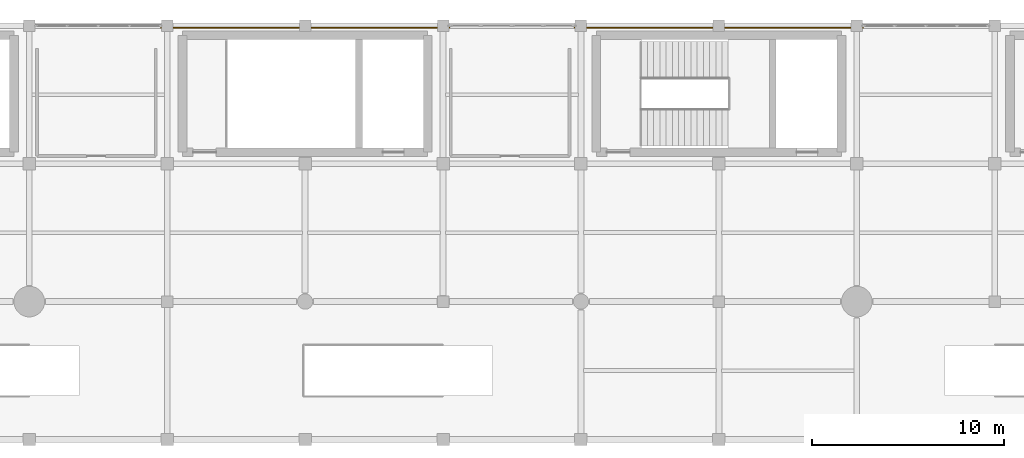
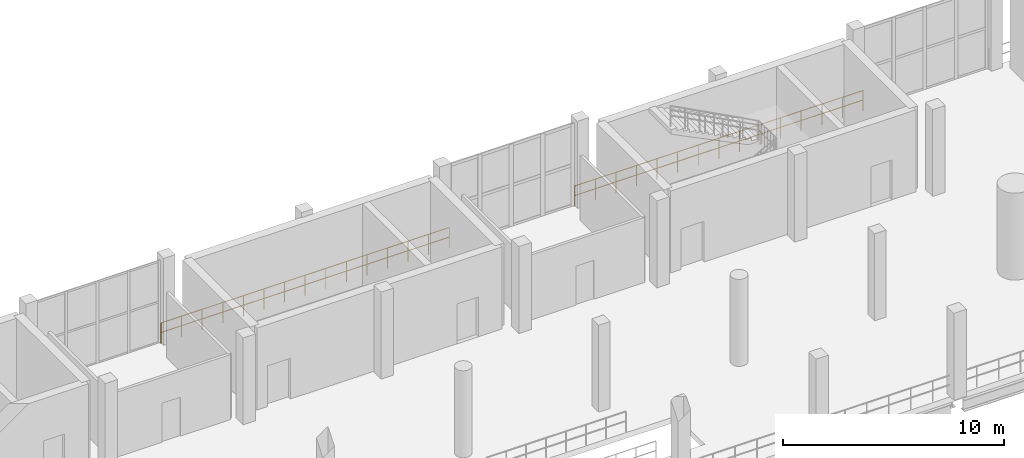
# One storey, part 105 of 105: 2 railings.
"""IFC4 building model written with IfcOpenShell, lengths in metres."""

from ifc_helpers import new_model, si_unit, direction, frame, origin, origin_2d, place, context, subcontext, project, spatial, circle, extrude, material, type_object, element, save


model = new_model("IFC4")

# Units and contexts
model_context = context("Model", 3, precision=1e-05, world=origin(), true_north=direction((0.0, 1.0)))
body_context = subcontext(model_context, "Body", "Model", "MODEL_VIEW")
ifc_project = project(units=[si_unit("LENGTHUNIT", "METRE"), si_unit("AREAUNIT", "SQUARE_METRE"), si_unit("VOLUMEUNIT", "CUBIC_METRE"), si_unit("PLANEANGLEUNIT", "RADIAN"), si_unit("MASSUNIT", "GRAM", prefix="KILO")], contexts=[model_context])

# Site, building, storey
site_placement = place(None, origin())
site = spatial("IfcSite", under=ifc_project, at=site_placement, CompositionType="ELEMENT")
building_placement = place(site_placement, origin())
building = spatial("IfcBuilding", under=site, at=building_placement, Name="Qandorah Velis Arena", CompositionType="ELEMENT")
storey_placement = place(building_placement, frame((0.0, 0.0, 13.800048828125)))
storey = spatial("IfcBuildingStorey", under=building, at=storey_placement, Name="L03", CompositionType="ELEMENT", Elevation=13.800048828125)

# Railings
ifc_material = material(Name="Stainless steel 316", Category="steel")
railing_type = type_object("IfcRailingType", Name="ARC-RL-GRD1150", PredefinedType="GUARDRAIL", material=ifc_material)
railing_1_placement = place(storey_placement, frame((50.074951171875, 129.5, 0.0)))
element("IfcRailing", 1, at=railing_1_placement, inside=storey, type_object=railing_type, Name="Slab edge safety guardrail L03-182", PredefinedType="GUARDRAIL", context=body_context, shape_type="SweptSolid", body=[
    extrude(circle(Radius=0.02392578125, at=origin_2d()), frame((0.0, 0.0, 1.1259765625), z_axis=(1.0, 0.0, 0.0), x_axis=(0.0, 1.0, 0.0)), (0.0, 0.0, 1.0), 15.050048828125),
    extrude(circle(Radius=0.02392578125, at=origin_2d()), frame((0.0, 0.0, 0.597900390625), z_axis=(1.0, 0.0, 0.0), x_axis=(0.0, 1.0, 0.0)), (0.0, 0.0, 1.0), 15.050048828125),
    extrude(circle(Radius=0.02099609375, at=origin_2d()), origin(), (0.0, 0.0, 1.0), 1.101806640625),
    extrude(circle(Radius=0.02099609375, at=origin_2d()), frame((1.074951171875, 0.0, 0.0)), (0.0, 0.0, 1.0), 1.101806640625),
    extrude(circle(Radius=0.02099609375, at=origin_2d()), frame((2.14990234375, 0.0, 0.0)), (0.0, 0.0, 1.0), 1.101806640625),
    extrude(circle(Radius=0.02099609375, at=origin_2d()), frame((3.22509765625, 0.0, 0.0)), (0.0, 0.0, 1.0), 1.101806640625),
    extrude(circle(Radius=0.02099609375, at=origin_2d()), frame((4.300048828125, 0.0, 0.0)), (0.0, 0.0, 1.0), 1.101806640625),
    extrude(circle(Radius=0.02099609375, at=origin_2d()), frame((5.375, 0.0, 0.0)), (0.0, 0.0, 1.0), 1.101806640625),
    extrude(circle(Radius=0.02099609375, at=origin_2d()), frame((6.449951171875, 0.0, 0.0)), (0.0, 0.0, 1.0), 1.101806640625),
    extrude(circle(Radius=0.02099609375, at=origin_2d()), frame((7.52490234375, 0.0, 0.0)), (0.0, 0.0, 1.0), 1.101806640625),
    extrude(circle(Radius=0.02099609375, at=origin_2d()), frame((8.60009765625, 0.0, 0.0)), (0.0, 0.0, 1.0), 1.101806640625),
    extrude(circle(Radius=0.02099609375, at=origin_2d()), frame((9.675048828125, 0.0, 0.0)), (0.0, 0.0, 1.0), 1.101806640625),
    extrude(circle(Radius=0.02099609375, at=origin_2d()), frame((10.75, 0.0, 0.0)), (0.0, 0.0, 1.0), 1.101806640625),
    extrude(circle(Radius=0.02099609375, at=origin_2d()), frame((11.824951171875, 0.0, 0.0)), (0.0, 0.0, 1.0), 1.101806640625),
    extrude(circle(Radius=0.02099609375, at=origin_2d()), frame((12.900146484375, 0.0, 0.0)), (0.0, 0.0, 1.0), 1.101806640625),
    extrude(circle(Radius=0.02099609375, at=origin_2d()), frame((13.97509765625, 0.0, 0.0)), (0.0, 0.0, 1.0), 1.101806640625),
    extrude(circle(Radius=0.02099609375, at=origin_2d()), frame((15.050048828125, 0.0, 0.0)), (0.0, 0.0, 1.0), 1.101806640625),
])
railing_2_placement = place(storey_placement, frame((71.675048828125, 129.5, 0.0)))
element("IfcRailing", 2, at=railing_2_placement, inside=storey, type_object=railing_type, Name="Slab edge safety guardrail L03-183", PredefinedType="GUARDRAIL", context=body_context, shape_type="SweptSolid", body=[
    extrude(circle(Radius=0.02392578125, at=origin_2d()), frame((0.0, 0.0, 1.1259765625), z_axis=(1.0, 0.0, 0.0), x_axis=(0.0, 1.0, 0.0)), (0.0, 0.0, 1.0), 15.050048828125),
    extrude(circle(Radius=0.02392578125, at=origin_2d()), frame((0.0, 0.0, 0.597900390625), z_axis=(1.0, 0.0, 0.0), x_axis=(0.0, 1.0, 0.0)), (0.0, 0.0, 1.0), 15.050048828125),
    extrude(circle(Radius=0.02099609375, at=origin_2d()), origin(), (0.0, 0.0, 1.0), 1.101806640625),
    extrude(circle(Radius=0.02099609375, at=origin_2d()), frame((1.074951171875, 0.0, 0.0)), (0.0, 0.0, 1.0), 1.101806640625),
    extrude(circle(Radius=0.02099609375, at=origin_2d()), frame((2.14990234375, 0.0, 0.0)), (0.0, 0.0, 1.0), 1.101806640625),
    extrude(circle(Radius=0.02099609375, at=origin_2d()), frame((3.22509765625, 0.0, 0.0)), (0.0, 0.0, 1.0), 1.101806640625),
    extrude(circle(Radius=0.02099609375, at=origin_2d()), frame((4.300048828125, 0.0, 0.0)), (0.0, 0.0, 1.0), 1.101806640625),
    extrude(circle(Radius=0.02099609375, at=origin_2d()), frame((5.375, 0.0, 0.0)), (0.0, 0.0, 1.0), 1.101806640625),
    extrude(circle(Radius=0.02099609375, at=origin_2d()), frame((6.449951171875, 0.0, 0.0)), (0.0, 0.0, 1.0), 1.101806640625),
    extrude(circle(Radius=0.02099609375, at=origin_2d()), frame((7.52490234375, 0.0, 0.0)), (0.0, 0.0, 1.0), 1.101806640625),
    extrude(circle(Radius=0.02099609375, at=origin_2d()), frame((8.60009765625, 0.0, 0.0)), (0.0, 0.0, 1.0), 1.101806640625),
    extrude(circle(Radius=0.02099609375, at=origin_2d()), frame((9.675048828125, 0.0, 0.0)), (0.0, 0.0, 1.0), 1.101806640625),
    extrude(circle(Radius=0.02099609375, at=origin_2d()), frame((10.75, 0.0, 0.0)), (0.0, 0.0, 1.0), 1.101806640625),
    extrude(circle(Radius=0.02099609375, at=origin_2d()), frame((11.824951171875, 0.0, 0.0)), (0.0, 0.0, 1.0), 1.101806640625),
    extrude(circle(Radius=0.02099609375, at=origin_2d()), frame((12.900146484375, 0.0, 0.0)), (0.0, 0.0, 1.0), 1.101806640625),
    extrude(circle(Radius=0.02099609375, at=origin_2d()), frame((13.97509765625, 0.0, 0.0)), (0.0, 0.0, 1.0), 1.101806640625),
    extrude(circle(Radius=0.02099609375, at=origin_2d()), frame((15.050048828125, 0.0, 0.0)), (0.0, 0.0, 1.0), 1.101806640625),
])

save(model, "model.ifc")
